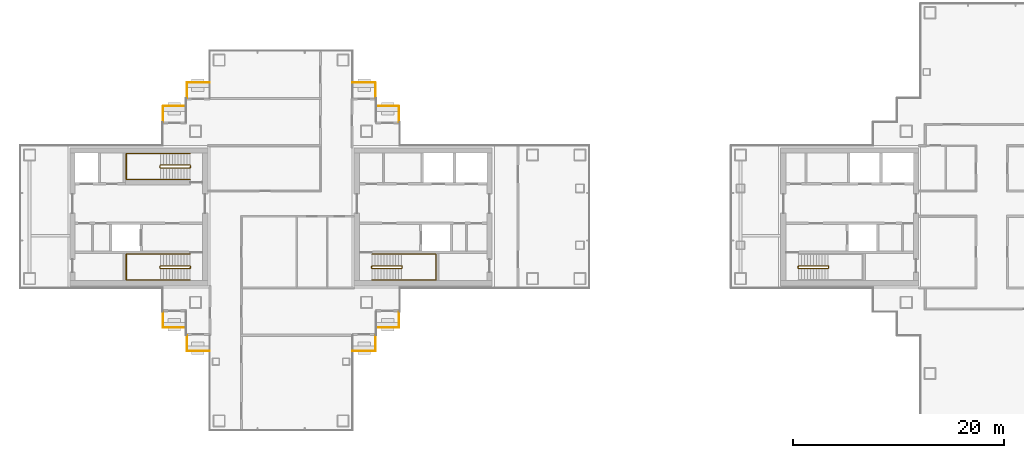
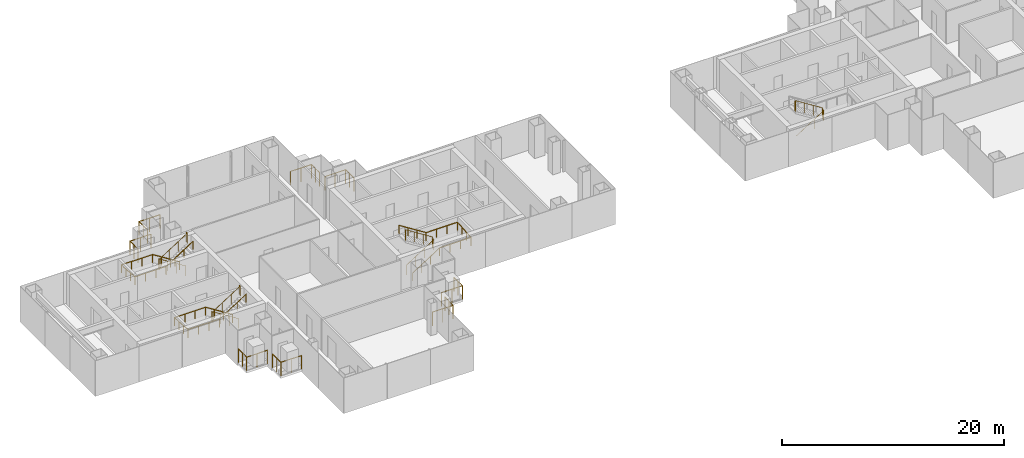
# One storey, part 14 of 16: 15 railings.
"""IFC4 building model written with IfcOpenShell, lengths in metres."""

import ifcopenshell
import ifcopenshell.guid

model = None  # the IFC model being written
_history = None  # IfcOwnerHistory: only IFC2X3 demands one
_inside = {}  # id of a spatial element -> (the spatial element, [elements in it])
_under = {}  # id of a project, library or spatial element -> (it, [spatial elements below it])
_declared = {}  # id of a project -> (the project, [libraries it declares])
_typed = {}  # id of a type object -> (the type object, [elements of that type])
_made_of = {}  # id of a material, layer set ... -> (it, [elements and type objects made of it])


def new_model(schema):
    """Start an empty IFC model of exactly this schema.

    Asked for "IFC4X3", IfcOpenShell would pick the latest addendum, in which some entities
    have other attributes; the version numbers below select the first issue.
    IFC2X3 requires an IfcOwnerHistory on every rooted entity: one is made here for all.
    """
    global model, _history
    if schema == "IFC4X3":
        model = ifcopenshell.file(schema_version=(4, 3, 0, 0))
    else:
        model = ifcopenshell.file(schema=schema)
    _inside.clear()
    _under.clear()
    _declared.clear()
    _typed.clear()
    _made_of.clear()
    _history = None
    if model.schema == "IFC2X3":
        org = make("IfcOrganization", Name="unknown")
        user = make(
            "IfcPersonAndOrganization",
            ThePerson=make("IfcPerson", FamilyName="unknown"),
            TheOrganization=org,
        )
        app = make(
            "IfcApplication",
            ApplicationDeveloper=org,
            Version="unknown",
            ApplicationFullName="unknown",
            ApplicationIdentifier="unknown",
        )
        _history = make(
            "IfcOwnerHistory",
            OwningUser=user,
            OwningApplication=app,
            ChangeAction="ADDED",
            CreationDate=0,
        )
    return model


def make(cls, **values):
    """One entity of the class cls with the attributes given. An attribute that is None is left unset."""
    return model.create_entity(
        cls, **{name: value for name, value in values.items() if value is not None}
    )


def rooted(cls, **values):
    """An entity with a GlobalId (a new one), such as an element, a storey or a relation."""
    return make(cls, GlobalId=ifcopenshell.guid.new(), OwnerHistory=_history, **values)


def si_unit(unit_type, name, prefix=None):
    """IfcSIUnit, for example si_unit("LENGTHUNIT", "METRE", prefix="MILLI")."""
    return make("IfcSIUnit", UnitType=unit_type, Prefix=prefix, Name=name)


def assignment(units):
    """IfcUnitAssignment: the units of a project."""
    return None if units is None else make("IfcUnitAssignment", Units=units)


def point(xyz):
    """IfcCartesianPoint."""
    return None if xyz is None else make("IfcCartesianPoint", Coordinates=xyz)


def direction(xyz):
    """IfcDirection."""
    return None if xyz is None else make("IfcDirection", DirectionRatios=xyz)


def frame(location, z_axis=None, x_axis=None):
    """IfcAxis2Placement3D, a coordinate frame: its origin and axes. An axis left out is left unset."""
    return make(
        "IfcAxis2Placement3D",
        Location=point(location),
        Axis=direction(z_axis),
        RefDirection=direction(x_axis),
    )


def frame_2d(location, x_axis=None):
    """IfcAxis2Placement2D, a coordinate frame in the plane: its origin and x axis."""
    return make(
        "IfcAxis2Placement2D", Location=point(location), RefDirection=direction(x_axis)
    )


def origin():
    """The frame at (0, 0, 0) with its axes left unset."""
    return frame((0.0, 0.0, 0.0))


def origin_2d():
    """The frame at (0, 0) in the plane with its x axis left unset."""
    return frame_2d((0.0, 0.0))


def place(relative_to, where):
    """IfcLocalPlacement: puts the frame where relative to a parent placement (None: the world)."""
    return make(
        "IfcLocalPlacement", PlacementRelTo=relative_to, RelativePlacement=where
    )


def context(
    kind, dimensions, precision=None, world=None, true_north=None, identifier=None
):
    """IfcGeometricRepresentationContext, for example the 3D "Model" context."""
    return make(
        "IfcGeometricRepresentationContext",
        ContextIdentifier=identifier,
        ContextType=kind,
        CoordinateSpaceDimension=dimensions,
        Precision=precision,
        WorldCoordinateSystem=world,
        TrueNorth=true_north,
    )


def subcontext(parent, identifier, kind, view, scale=None):
    """IfcGeometricRepresentationSubContext, for example "Body" below "Model"."""
    return make(
        "IfcGeometricRepresentationSubContext",
        ContextIdentifier=identifier,
        ContextType=kind,
        ParentContext=parent,
        TargetScale=scale,
        TargetView=view,
    )


def project(units=None, contexts=None):
    """IfcProject with its units and contexts."""
    return rooted(
        "IfcProject",
        Name="project",
        RepresentationContexts=contexts,
        UnitsInContext=assignment(units),
    )


def spatial(cls, under=None, at=None, **own):
    """A site, building, storey or space (cls), placed at a placement, below another one or the project."""
    s = rooted(cls, ObjectPlacement=at, **own)
    if under is not None:
        _under.setdefault(under.id(), (under, []))[1].append(s)
    return s


def profile(cls, at=None, kind="AREA", **sizes):
    """A parametric profile (cls). Its sizes go by their IFC names, for example OverallWidth=200.0."""
    return make(cls, ProfileType=kind, Position=at, **sizes)


def circle(**sizes):
    """IfcCircleProfileDef."""
    return profile("IfcCircleProfileDef", **sizes)


def extrude(swept, where, along, depth):
    """IfcExtrudedAreaSolid: the profile swept, set in the frame where, extruded along a direction by depth."""
    return make(
        "IfcExtrudedAreaSolid",
        SweptArea=swept,
        Position=where,
        ExtrudedDirection=direction(along),
        Depth=depth,
    )


def shape(context_of_items, identifier, shape_type, items):
    """IfcShapeRepresentation: the items that make up one representation, for example the "Body"."""
    return make(
        "IfcShapeRepresentation",
        ContextOfItems=context_of_items,
        RepresentationIdentifier=identifier,
        RepresentationType=shape_type,
        Items=items,
    )


def material(Name=None, Category=None):
    """IfcMaterial."""
    return make("IfcMaterial", Name=Name, Category=Category)


def made_of(thing, what):
    """Note that an element or type object is made of a material, layer set ...; save() writes the relation."""
    if what is not None:
        _made_of.setdefault(what.id(), (what, []))[1].append(thing)
    return thing


def type_object(cls, material=None, **own):
    """A type object (cls), such as IfcWallType, which elements share."""
    return made_of(rooted(cls, **own), material)


def element(
    cls,
    number,
    at=None,
    inside=None,
    cuts=None,
    type_object=None,
    material=None,
    context=None,
    identifier="Body",
    shape_type=None,
    held_by="IfcProductDefinitionShape",
    body=None,
    shapes=None,
    **own,
):
    """One element of the class cls, such as IfcWall. Its Tag is "e" and its number.

    at: its placement. inside: the storey or other place that contains it. cuts: it is an
    opening in that element (IfcRelVoidsElement). A single representation is given by context,
    identifier, shape_type and body (its items); several are given by shapes. held_by: the class
    of the entity that holds the representations. save() writes the other relations.
    """
    e = rooted(cls, Tag="e%d" % number, ObjectPlacement=at, **own)
    if body is not None:
        shapes = [shape(context, identifier, shape_type, body)]
    if shapes is not None:
        e.Representation = make(held_by, Representations=shapes)
    if inside is not None:
        _inside.setdefault(inside.id(), (inside, []))[1].append(e)
    if cuts is not None:
        rooted(
            "IfcRelVoidsElement", RelatingBuildingElement=cuts, RelatedOpeningElement=e
        )
    if type_object is not None:
        _typed.setdefault(type_object.id(), (type_object, []))[1].append(e)
    return made_of(e, material)


def aggregate(whole, parts):
    """IfcRelAggregates: a whole, such as a stair, and the parts it consists of."""
    return rooted("IfcRelAggregates", RelatingObject=whole, RelatedObjects=parts)


def save(model, path):
    """Write the relations noted so far, then the file.

    IfcRelAggregates (storeys below a building ...), IfcRelContainedInSpatialStructure (elements
    in a storey), IfcRelDefinesByType, IfcRelAssociatesMaterial and IfcRelDeclares: one each for
    every whole, place, type object, material and project.
    """
    for whole, parts in _under.values():
        aggregate(whole, parts)
    for where, things in _inside.values():
        rooted(
            "IfcRelContainedInSpatialStructure",
            RelatedElements=things,
            RelatingStructure=where,
        )
    for kind, things in _typed.values():
        rooted("IfcRelDefinesByType", RelatedObjects=things, RelatingType=kind)
    for what, things in _made_of.values():
        rooted("IfcRelAssociatesMaterial", RelatedObjects=things, RelatingMaterial=what)
    for by, libraries in _declared.values():
        rooted("IfcRelDeclares", RelatingContext=by, RelatedDefinitions=libraries)
    model.write(path)


model = new_model("IFC4")

# Units and contexts
model_context = context("Model", 3, precision=1e-05, world=origin(), true_north=direction((0.0, 1.0)))
body_context = subcontext(model_context, "Body", "Model", "MODEL_VIEW")
ifc_project = project(units=[si_unit("LENGTHUNIT", "METRE"), si_unit("AREAUNIT", "SQUARE_METRE"), si_unit("VOLUMEUNIT", "CUBIC_METRE"), si_unit("PLANEANGLEUNIT", "RADIAN"), si_unit("MASSUNIT", "GRAM", prefix="KILO")], contexts=[model_context])

# Site, building, storey
site_placement = place(None, origin())
site = spatial("IfcSite", under=ifc_project, at=site_placement, CompositionType="ELEMENT")
building_placement = place(site_placement, origin())
building = spatial("IfcBuilding", under=site, at=building_placement, Name="Shamsa Quay Exchange Towers", CompositionType="ELEMENT")
storey_placement = place(building_placement, frame((0.0, 0.0, 142.800048828125)))
storey = spatial("IfcBuildingStorey", under=building, at=storey_placement, Name="L33", CompositionType="ELEMENT", Elevation=142.800048828125)

# Railings
ifc_material_1 = material(Name="Steel S355, black powder-coated", Category="steel")
railing_type_1 = type_object("IfcRailingType", Name="BALCONY GUARD 1500", PredefinedType="GUARDRAIL", material=ifc_material_1)
for number, where, name in (
    (1, (-22.550048828125, 9.02099609375, 0.0), "Balcony guard T1-PKEN L33"),
    (2, (-24.800048828125, 11.27099609375, 0.0), "Balcony guard T1-PKEN L33"),
):
    element("IfcRailing", number, at=place(storey_placement, frame(where)), inside=storey, type_object=railing_type_1, Name=name, PredefinedType="GUARDRAIL", context=body_context, shape_type="SweptSolid", body=[
        extrude(circle(Radius=0.02392578125, at=origin_2d()), frame((0.0, 0.0, 1.47607421875), z_axis=(0.0, 1.0, 0.0), x_axis=(-1.0, 0.0, 0.0)), (0.0, 0.0, 1.0), 1.47900390625),
        extrude(circle(Radius=0.02392578125, at=origin_2d()), frame((0.0, 1.47900390625, 1.47607421875), z_axis=(-1.0, 0.0, 0.0), x_axis=(0.0, -1.0, 0.0)), (0.0, 0.0, 1.0), 2.161865234375),
        extrude(circle(Radius=0.02099609375, at=origin_2d()), origin(), (0.0, 0.0, 1.0), 1.451904296875),
        extrude(circle(Radius=0.02099609375, at=origin_2d()), frame((0.0, 0.739501953125, 0.0)), (0.0, 0.0, 1.0), 1.451904296875),
        extrude(circle(Radius=0.02099609375, at=origin_2d()), frame((0.0, 1.47900390625, 0.0)), (0.0, 0.0, 1.0), 1.451904296875),
        extrude(circle(Radius=0.02099609375, at=origin_2d()), frame((-1.0810546875, 1.47900390625, 0.0)), (0.0, 0.0, 1.0), 1.451904296875),
        extrude(circle(Radius=0.02099609375, at=origin_2d()), frame((-2.161865234375, 1.47900390625, 0.0)), (0.0, 0.0, 1.0), 1.451904296875),
    ])
for number, where, name in (
    (3, (-24.7119140625, -10.5, 0.0), "Balcony guard T1-PKES L33"),
    (4, (-26.9619140625, -12.75, 0.0), "Balcony guard T1-PKES L33"),
):
    element("IfcRailing", number, at=place(storey_placement, frame(where)), inside=storey, type_object=railing_type_1, Name=name, PredefinedType="GUARDRAIL", context=body_context, shape_type="SweptSolid", body=[
        extrude(circle(Radius=0.02392578125, at=origin_2d()), frame((0.0, 0.0, 1.47607421875), z_axis=(1.0, 0.0, 0.0), x_axis=(0.0, 1.0, 0.0)), (0.0, 0.0, 1.0), 2.161865234375),
        extrude(circle(Radius=0.02392578125, at=origin_2d()), frame((2.161865234375, 0.0, 1.47607421875), z_axis=(0.0, 1.0, 0.0), x_axis=(-1.0, 0.0, 0.0)), (0.0, 0.0, 1.0), 1.47900390625),
        extrude(circle(Radius=0.02099609375, at=origin_2d()), origin(), (0.0, 0.0, 1.0), 1.451904296875),
        extrude(circle(Radius=0.02099609375, at=origin_2d()), frame((1.0810546875, 0.0, 0.0)), (0.0, 0.0, 1.0), 1.451904296875),
        extrude(circle(Radius=0.02099609375, at=origin_2d()), frame((2.161865234375, 0.0, 0.0)), (0.0, 0.0, 1.0), 1.451904296875),
        extrude(circle(Radius=0.02099609375, at=origin_2d()), frame((2.161865234375, 0.739501953125, 0.0)), (0.0, 0.0, 1.0), 1.451904296875),
        extrude(circle(Radius=0.02099609375, at=origin_2d()), frame((2.161865234375, 1.47900390625, 0.0)), (0.0, 0.0, 1.0), 1.451904296875),
    ])
for number, where, name in (
    (5, (-40.5380859375, 12.75, 0.0), "Balcony guard T1-PKWN L33"),
    (6, (-42.7880859375, 10.5, 0.0), "Balcony guard T1-PKWN L33"),
):
    element("IfcRailing", number, at=place(storey_placement, frame(where)), inside=storey, type_object=railing_type_1, Name=name, PredefinedType="GUARDRAIL", context=body_context, shape_type="SweptSolid", body=[
        extrude(circle(Radius=0.02392578125, at=origin_2d()), frame((0.0, 0.0, 1.47607421875), z_axis=(-1.0, 0.0, 0.0), x_axis=(0.0, -1.0, 0.0)), (0.0, 0.0, 1.0), 2.161865234375),
        extrude(circle(Radius=0.02392578125, at=origin_2d()), frame((-2.161865234375, 0.0, 1.47607421875), z_axis=(0.0, -1.0, 0.0), x_axis=(1.0, 0.0, 0.0)), (0.0, 0.0, 1.0), 1.47900390625),
        extrude(circle(Radius=0.02099609375, at=origin_2d()), origin(), (0.0, 0.0, 1.0), 1.451904296875),
        extrude(circle(Radius=0.02099609375, at=origin_2d()), frame((-1.0810546875, 0.0, 0.0)), (0.0, 0.0, 1.0), 1.451904296875),
        extrude(circle(Radius=0.02099609375, at=origin_2d()), frame((-2.161865234375, 0.0, 0.0)), (0.0, 0.0, 1.0), 1.451904296875),
        extrude(circle(Radius=0.02099609375, at=origin_2d()), frame((-2.161865234375, -0.739501953125, 0.0)), (0.0, 0.0, 1.0), 1.451904296875),
        extrude(circle(Radius=0.02099609375, at=origin_2d()), frame((-2.161865234375, -1.47900390625, 0.0)), (0.0, 0.0, 1.0), 1.451904296875),
    ])
for number, where, name in (
    (7, (-44.949951171875, -9.02099609375, 0.0), "Balcony guard T1-PKWS L33"),
    (8, (-42.699951171875, -11.27099609375, 0.0), "Balcony guard T1-PKWS L33"),
):
    element("IfcRailing", number, at=place(storey_placement, frame(where)), inside=storey, type_object=railing_type_1, Name=name, PredefinedType="GUARDRAIL", context=body_context, shape_type="SweptSolid", body=[
        extrude(circle(Radius=0.02392578125, at=origin_2d()), frame((0.0, 0.0, 1.47607421875), z_axis=(0.0, -1.0, 0.0), x_axis=(1.0, 0.0, 0.0)), (0.0, 0.0, 1.0), 1.47900390625),
        extrude(circle(Radius=0.02392578125, at=origin_2d()), frame((0.0, -1.47900390625, 1.47607421875), z_axis=(1.0, 0.0, 0.0), x_axis=(0.0, 1.0, 0.0)), (0.0, 0.0, 1.0), 2.161865234375),
        extrude(circle(Radius=0.02099609375, at=origin_2d()), origin(), (0.0, 0.0, 1.0), 1.451904296875),
        extrude(circle(Radius=0.02099609375, at=origin_2d()), frame((0.0, -0.739501953125, 0.0)), (0.0, 0.0, 1.0), 1.451904296875),
        extrude(circle(Radius=0.02099609375, at=origin_2d()), frame((0.0, -1.47900390625, 0.0)), (0.0, 0.0, 1.0), 1.451904296875),
        extrude(circle(Radius=0.02099609375, at=origin_2d()), frame((1.0810546875, -1.47900390625, 0.0)), (0.0, 0.0, 1.0), 1.451904296875),
        extrude(circle(Radius=0.02099609375, at=origin_2d()), frame((2.161865234375, -1.47900390625, 0.0)), (0.0, 0.0, 1.0), 1.451904296875),
    ])
ifc_material_2 = material(Name="Stainless steel", Category="steel")
railing_type_2 = type_object("IfcRailingType", Name="STAIR GUARD 1100", PredefinedType="GUARDRAIL", material=ifc_material_2)
railing_1_placement = place(storey_placement, frame((-25.10009765625, -4.89990234375, 0.17724609375)))
element("IfcRailing", 9, at=railing_1_placement, inside=storey, type_object=railing_type_2, Name="L33 ST1 stair guard 1", PredefinedType="GUARDRAIL", context=body_context, shape_type="SweptSolid", body=[
    extrude(circle(Radius=0.02392578125, at=origin_2d()), frame((0.0, 0.0, 1.076171875), z_axis=(0.844908973607, 0.0, 0.534910110503), x_axis=(0.0, 1.0, 0.0)), (0.0, 0.0, 1.0), 3.31396484375),
    extrude(circle(Radius=0.02392578125, at=origin_2d()), frame((2.800048828125, 0.0, 2.8486328125), z_axis=(0.708833529934, 0.705375805398, 0.0), x_axis=(-0.705375805398, 0.708833529934, 0.0)), (0.0, 0.0, 1.0), 0.070556640625),
    extrude(circle(Radius=0.02392578125, at=origin_2d()), frame((2.85009765625, 0.0498046875, 2.8486328125), z_axis=(0.0, 1.0, 0.0), x_axis=(-1.0, 0.0, 0.0)), (0.0, 0.0, 1.0), 0.150146484375),
    extrude(circle(Radius=0.02392578125, at=origin_2d()), frame((2.85009765625, 0.199951171875, 2.8486328125), z_axis=(-0.262233686654, 0.262233686654, 0.928691007369), x_axis=(-0.707106781187, -0.707106781187, 0.0)), (0.0, 0.0, 1.0), 0.19091796875),
    extrude(circle(Radius=0.02392578125, at=origin_2d()), frame((2.800048828125, 0.25, 3.02587890625), z_axis=(-0.844908973607, 0.0, 0.534910110503), x_axis=(0.0, -1.0, 0.0)), (0.0, 0.0, 1.0), 3.31396484375),
    extrude(circle(Radius=0.02392578125, at=origin_2d()), frame((0.0, 0.25, 4.798828125), z_axis=(-0.24142163986, -0.970420317083, 0.0), x_axis=(0.970420317083, -0.24142163986, 0.0)), (0.0, 0.0, 1.0), 0.206298828125),
    extrude(circle(Radius=0.02392578125, at=origin_2d()), frame((-0.0498046875, 0.0498046875, 4.798828125), z_axis=(0.0, 1.0, 0.0), x_axis=(-1.0, 0.0, 0.0)), (0.0, 0.0, 1.0), 0.150146484375),
    extrude(circle(Radius=0.02099609375, at=origin_2d()), origin(), (0.0, 0.0, 1.0), 1.052001953125),
    extrude(circle(Radius=0.02099609375, at=origin_2d()), frame((0.933349609375, 0.0, 0.5908203125)), (0.0, 0.0, 1.0), 1.052001953125),
    extrude(circle(Radius=0.02099609375, at=origin_2d()), frame((1.86669921875, 0.0, 1.181884765625)), (0.0, 0.0, 1.0), 1.052001953125),
    extrude(circle(Radius=0.02099609375, at=origin_2d()), frame((2.800048828125, 0.0, 1.772705078125)), (0.0, 0.0, 1.0), 1.052001953125),
    extrude(circle(Radius=0.02099609375, at=origin_2d()), frame((2.85009765625, 0.0498046875, 1.772705078125)), (0.0, 0.0, 1.0), 1.052001953125),
    extrude(circle(Radius=0.02099609375, at=origin_2d()), frame((2.85009765625, 0.199951171875, 1.772705078125)), (0.0, 0.0, 1.0), 1.052001953125),
    extrude(circle(Radius=0.02099609375, at=origin_2d()), frame((2.800048828125, 0.25, 1.949951171875)), (0.0, 0.0, 1.0), 1.052001953125),
    extrude(circle(Radius=0.02099609375, at=origin_2d()), frame((1.86669921875, 0.25, 2.540771484375)), (0.0, 0.0, 1.0), 1.052001953125),
    extrude(circle(Radius=0.02099609375, at=origin_2d()), frame((0.933349609375, 0.25, 3.1318359375)), (0.0, 0.0, 1.0), 1.052001953125),
    extrude(circle(Radius=0.02099609375, at=origin_2d()), frame((0.0, 0.25, 3.72265625)), (0.0, 0.0, 1.0), 1.052001953125),
    extrude(circle(Radius=0.02099609375, at=origin_2d()), frame((-0.0498046875, 0.0498046875, 3.72265625)), (0.0, 0.0, 1.0), 1.052001953125),
    extrude(circle(Radius=0.02099609375, at=origin_2d()), frame((-0.0498046875, 0.199951171875, 3.72265625)), (0.0, 0.0, 1.0), 1.052001953125),
])
railing_2_placement = place(storey_placement, frame((-42.39990234375, -4.64990234375, 0.17724609375)))
element("IfcRailing", 10, at=railing_2_placement, inside=storey, type_object=railing_type_2, Name="L33 ST2 stair guard 1", PredefinedType="GUARDRAIL", context=body_context, shape_type="SweptSolid", body=[
    extrude(circle(Radius=0.02392578125, at=origin_2d()), frame((0.0, 0.0, 1.076171875), z_axis=(-0.844908973607, 0.0, 0.534910110503), x_axis=(0.0, -1.0, 0.0)), (0.0, 0.0, 1.0), 3.31396484375),
    extrude(circle(Radius=0.02392578125, at=origin_2d()), frame((-2.800048828125, 0.0, 2.8486328125), z_axis=(-0.707106781187, -0.707106781187, 0.0), x_axis=(0.707106781187, -0.707106781187, 0.0)), (0.0, 0.0, 1.0), 0.07080078125),
    extrude(circle(Radius=0.02392578125, at=origin_2d()), frame((-2.85009765625, -0.050048828125, 2.8486328125), z_axis=(0.0, -1.0, 0.0), x_axis=(1.0, 0.0, 0.0)), (0.0, 0.0, 1.0), 0.150146484375),
    extrude(circle(Radius=0.02392578125, at=origin_2d()), frame((-2.85009765625, -0.2001953125, 2.8486328125), z_axis=(0.262321481514, -0.261041864531, 0.929001929653), x_axis=(0.705375805398, 0.708833529934, 0.0)), (0.0, 0.0, 1.0), 0.190673828125),
    extrude(circle(Radius=0.02392578125, at=origin_2d()), frame((-2.800048828125, -0.25, 3.02587890625), z_axis=(0.844908973607, 0.0, 0.534910110503), x_axis=(0.0, 1.0, 0.0)), (0.0, 0.0, 1.0), 3.31396484375),
    extrude(circle(Radius=0.02392578125, at=origin_2d()), frame((0.0, -0.25, 4.798828125), z_axis=(0.241699205484, 0.970351222016, 0.0), x_axis=(-0.970351222016, 0.241699205484, 0.0)), (0.0, 0.0, 1.0), 0.2060546875),
    extrude(circle(Radius=0.02392578125, at=origin_2d()), frame((0.0498046875, -0.050048828125, 4.798828125), z_axis=(0.0, -1.0, 0.0), x_axis=(1.0, 0.0, 0.0)), (0.0, 0.0, 1.0), 0.150146484375),
    extrude(circle(Radius=0.02099609375, at=origin_2d()), origin(), (0.0, 0.0, 1.0), 1.052001953125),
    extrude(circle(Radius=0.02099609375, at=origin_2d()), frame((-0.933349609375, 0.0, 0.5908203125)), (0.0, 0.0, 1.0), 1.052001953125),
    extrude(circle(Radius=0.02099609375, at=origin_2d()), frame((-1.86669921875, 0.0, 1.181884765625)), (0.0, 0.0, 1.0), 1.052001953125),
    extrude(circle(Radius=0.02099609375, at=origin_2d()), frame((-2.800048828125, 0.0, 1.772705078125)), (0.0, 0.0, 1.0), 1.052001953125),
    extrude(circle(Radius=0.02099609375, at=origin_2d()), frame((-2.85009765625, -0.050048828125, 1.772705078125)), (0.0, 0.0, 1.0), 1.052001953125),
    extrude(circle(Radius=0.02099609375, at=origin_2d()), frame((-2.85009765625, -0.2001953125, 1.772705078125)), (0.0, 0.0, 1.0), 1.052001953125),
    extrude(circle(Radius=0.02099609375, at=origin_2d()), frame((-2.800048828125, -0.25, 1.949951171875)), (0.0, 0.0, 1.0), 1.052001953125),
    extrude(circle(Radius=0.02099609375, at=origin_2d()), frame((-1.86669921875, -0.25, 2.540771484375)), (0.0, 0.0, 1.0), 1.052001953125),
    extrude(circle(Radius=0.02099609375, at=origin_2d()), frame((-0.933349609375, -0.25, 3.1318359375)), (0.0, 0.0, 1.0), 1.052001953125),
    extrude(circle(Radius=0.02099609375, at=origin_2d()), frame((0.0, -0.25, 3.72265625)), (0.0, 0.0, 1.0), 1.052001953125),
    extrude(circle(Radius=0.02099609375, at=origin_2d()), frame((0.0498046875, -0.050048828125, 3.72265625)), (0.0, 0.0, 1.0), 1.052001953125),
    extrude(circle(Radius=0.02099609375, at=origin_2d()), frame((0.0498046875, -0.2001953125, 3.72265625)), (0.0, 0.0, 1.0), 1.052001953125),
])
railing_3_placement = place(storey_placement, frame((-42.39990234375, 4.89990234375, 0.17724609375)))
element("IfcRailing", 11, at=railing_3_placement, inside=storey, type_object=railing_type_2, Name="L33 ST3 stair guard 1", PredefinedType="GUARDRAIL", context=body_context, shape_type="SweptSolid", body=[
    extrude(circle(Radius=0.02392578125, at=origin_2d()), frame((0.0, 0.0, 1.076171875), z_axis=(-0.844908973607, 0.0, 0.534910110503), x_axis=(0.0, -1.0, 0.0)), (0.0, 0.0, 1.0), 3.31396484375),
    extrude(circle(Radius=0.02392578125, at=origin_2d()), frame((-2.800048828125, 0.0, 2.8486328125), z_axis=(-0.708833529934, -0.705375805398, 0.0), x_axis=(0.705375805398, -0.708833529934, 0.0)), (0.0, 0.0, 1.0), 0.070556640625),
    extrude(circle(Radius=0.02392578125, at=origin_2d()), frame((-2.85009765625, -0.0498046875, 2.8486328125), z_axis=(0.0, -1.0, 0.0), x_axis=(1.0, 0.0, 0.0)), (0.0, 0.0, 1.0), 0.150146484375),
    extrude(circle(Radius=0.02392578125, at=origin_2d()), frame((-2.85009765625, -0.199951171875, 2.8486328125), z_axis=(0.262233686654, -0.262233686654, 0.928691007369), x_axis=(0.707106781187, 0.707106781187, 0.0)), (0.0, 0.0, 1.0), 0.19091796875),
    extrude(circle(Radius=0.02392578125, at=origin_2d()), frame((-2.800048828125, -0.25, 3.02587890625), z_axis=(0.844908973607, 0.0, 0.534910110503), x_axis=(0.0, 1.0, 0.0)), (0.0, 0.0, 1.0), 3.31396484375),
    extrude(circle(Radius=0.02392578125, at=origin_2d()), frame((0.0, -0.25, 4.798828125), z_axis=(0.24142163986, 0.970420317083, 0.0), x_axis=(-0.970420317083, 0.24142163986, 0.0)), (0.0, 0.0, 1.0), 0.206298828125),
    extrude(circle(Radius=0.02392578125, at=origin_2d()), frame((0.0498046875, -0.0498046875, 4.798828125), z_axis=(0.0, -1.0, 0.0), x_axis=(1.0, 0.0, 0.0)), (0.0, 0.0, 1.0), 0.150146484375),
    extrude(circle(Radius=0.02099609375, at=origin_2d()), origin(), (0.0, 0.0, 1.0), 1.052001953125),
    extrude(circle(Radius=0.02099609375, at=origin_2d()), frame((-0.933349609375, 0.0, 0.5908203125)), (0.0, 0.0, 1.0), 1.052001953125),
    extrude(circle(Radius=0.02099609375, at=origin_2d()), frame((-1.86669921875, 0.0, 1.181884765625)), (0.0, 0.0, 1.0), 1.052001953125),
    extrude(circle(Radius=0.02099609375, at=origin_2d()), frame((-2.800048828125, 0.0, 1.772705078125)), (0.0, 0.0, 1.0), 1.052001953125),
    extrude(circle(Radius=0.02099609375, at=origin_2d()), frame((-2.85009765625, -0.0498046875, 1.772705078125)), (0.0, 0.0, 1.0), 1.052001953125),
    extrude(circle(Radius=0.02099609375, at=origin_2d()), frame((-2.85009765625, -0.199951171875, 1.772705078125)), (0.0, 0.0, 1.0), 1.052001953125),
    extrude(circle(Radius=0.02099609375, at=origin_2d()), frame((-2.800048828125, -0.25, 1.949951171875)), (0.0, 0.0, 1.0), 1.052001953125),
    extrude(circle(Radius=0.02099609375, at=origin_2d()), frame((-1.86669921875, -0.25, 2.540771484375)), (0.0, 0.0, 1.0), 1.052001953125),
    extrude(circle(Radius=0.02099609375, at=origin_2d()), frame((-0.933349609375, -0.25, 3.1318359375)), (0.0, 0.0, 1.0), 1.052001953125),
    extrude(circle(Radius=0.02099609375, at=origin_2d()), frame((0.0, -0.25, 3.72265625)), (0.0, 0.0, 1.0), 1.052001953125),
    extrude(circle(Radius=0.02099609375, at=origin_2d()), frame((0.0498046875, -0.0498046875, 3.72265625)), (0.0, 0.0, 1.0), 1.052001953125),
    extrude(circle(Radius=0.02099609375, at=origin_2d()), frame((0.0498046875, -0.199951171875, 3.72265625)), (0.0, 0.0, 1.0), 1.052001953125),
])
railing_4_placement = place(storey_placement, frame((15.39990234375, -4.89990234375, 0.17724609375)))
element("IfcRailing", 12, at=railing_4_placement, inside=storey, type_object=railing_type_2, Name="L33 ST4 stair guard 1", PredefinedType="GUARDRAIL", context=body_context, shape_type="SweptSolid", body=[
    extrude(circle(Radius=0.02392578125, at=origin_2d()), frame((0.0, 0.0, 1.076171875), z_axis=(0.844908973607, 0.0, 0.534910110503), x_axis=(0.0, 1.0, 0.0)), (0.0, 0.0, 1.0), 3.31396484375),
    extrude(circle(Radius=0.02392578125, at=origin_2d()), frame((2.800048828125, 0.0, 2.8486328125), z_axis=(0.708833529934, 0.705375805398, 0.0), x_axis=(-0.705375805398, 0.708833529934, 0.0)), (0.0, 0.0, 1.0), 0.070556640625),
    extrude(circle(Radius=0.02392578125, at=origin_2d()), frame((2.85009765625, 0.0498046875, 2.8486328125), z_axis=(0.0, 1.0, 0.0), x_axis=(-1.0, 0.0, 0.0)), (0.0, 0.0, 1.0), 0.150146484375),
    extrude(circle(Radius=0.02392578125, at=origin_2d()), frame((2.85009765625, 0.199951171875, 2.8486328125), z_axis=(-0.262233686654, 0.262233686654, 0.928691007369), x_axis=(-0.707106781187, -0.707106781187, 0.0)), (0.0, 0.0, 1.0), 0.19091796875),
    extrude(circle(Radius=0.02392578125, at=origin_2d()), frame((2.800048828125, 0.25, 3.02587890625), z_axis=(-0.844908973607, 0.0, 0.534910110503), x_axis=(0.0, -1.0, 0.0)), (0.0, 0.0, 1.0), 3.31396484375),
    extrude(circle(Radius=0.02392578125, at=origin_2d()), frame((0.0, 0.25, 4.798828125), z_axis=(-0.24142163986, -0.970420317083, 0.0), x_axis=(0.970420317083, -0.24142163986, 0.0)), (0.0, 0.0, 1.0), 0.206298828125),
    extrude(circle(Radius=0.02392578125, at=origin_2d()), frame((-0.0498046875, 0.0498046875, 4.798828125), z_axis=(0.0, 1.0, 0.0), x_axis=(-1.0, 0.0, 0.0)), (0.0, 0.0, 1.0), 0.150146484375),
    extrude(circle(Radius=0.02099609375, at=origin_2d()), origin(), (0.0, 0.0, 1.0), 1.052001953125),
    extrude(circle(Radius=0.02099609375, at=origin_2d()), frame((0.933349609375, 0.0, 0.5908203125)), (0.0, 0.0, 1.0), 1.052001953125),
    extrude(circle(Radius=0.02099609375, at=origin_2d()), frame((1.86669921875, 0.0, 1.181884765625)), (0.0, 0.0, 1.0), 1.052001953125),
    extrude(circle(Radius=0.02099609375, at=origin_2d()), frame((2.800048828125, 0.0, 1.772705078125)), (0.0, 0.0, 1.0), 1.052001953125),
    extrude(circle(Radius=0.02099609375, at=origin_2d()), frame((2.85009765625, 0.0498046875, 1.772705078125)), (0.0, 0.0, 1.0), 1.052001953125),
    extrude(circle(Radius=0.02099609375, at=origin_2d()), frame((2.85009765625, 0.199951171875, 1.772705078125)), (0.0, 0.0, 1.0), 1.052001953125),
    extrude(circle(Radius=0.02099609375, at=origin_2d()), frame((2.800048828125, 0.25, 1.949951171875)), (0.0, 0.0, 1.0), 1.052001953125),
    extrude(circle(Radius=0.02099609375, at=origin_2d()), frame((1.86669921875, 0.25, 2.540771484375)), (0.0, 0.0, 1.0), 1.052001953125),
    extrude(circle(Radius=0.02099609375, at=origin_2d()), frame((0.933349609375, 0.25, 3.1318359375)), (0.0, 0.0, 1.0), 1.052001953125),
    extrude(circle(Radius=0.02099609375, at=origin_2d()), frame((0.0, 0.25, 3.72265625)), (0.0, 0.0, 1.0), 1.052001953125),
    extrude(circle(Radius=0.02099609375, at=origin_2d()), frame((-0.0498046875, 0.0498046875, 3.72265625)), (0.0, 0.0, 1.0), 1.052001953125),
    extrude(circle(Radius=0.02099609375, at=origin_2d()), frame((-0.0498046875, 0.199951171875, 3.72265625)), (0.0, 0.0, 1.0), 1.052001953125),
])
railing_type_3 = type_object("IfcRailingType", Name="STAIR HANDRAIL 900", PredefinedType="HANDRAIL", material=ifc_material_2)
railing_5_placement = place(storey_placement, frame((-25.10009765625, -6.0, 0.17724609375)))
element("IfcRailing", 13, at=railing_5_placement, inside=storey, type_object=railing_type_3, Name="L33 ST1 stair handrail 1", PredefinedType="HANDRAIL", context=body_context, shape_type="SweptSolid", body=[
    extrude(circle(Radius=0.02392578125, at=origin_2d()), frame((0.0, 0.0, 0.8759765625), z_axis=(0.844908973607, 0.0, 0.534910110503), x_axis=(0.0, 1.0, 0.0)), (0.0, 0.0, 1.0), 3.31396484375),
    extrude(circle(Radius=0.02392578125, at=origin_2d()), frame((2.800048828125, 0.0, 2.6484375), z_axis=(1.0, 0.0, 0.0), x_axis=(0.0, 1.0, 0.0)), (0.0, 0.0, 1.0), 3.25),
    extrude(circle(Radius=0.02392578125, at=origin_2d()), frame((6.050048828125, 0.0, 2.6484375), z_axis=(0.0, 0.997393199914, 0.07215819264), x_axis=(-1.0, 0.0, 0.0)), (0.0, 0.0, 1.0), 2.456298828125),
    extrude(circle(Radius=0.02392578125, at=origin_2d()), frame((6.050048828125, 2.449951171875, 2.82568359375), z_axis=(-1.0, 0.0, 0.0), x_axis=(0.0, -1.0, 0.0)), (0.0, 0.0, 1.0), 3.25),
    extrude(circle(Radius=0.02392578125, at=origin_2d()), frame((2.800048828125, 2.449951171875, 2.82568359375), z_axis=(-0.844908973607, 0.0, 0.534910110503), x_axis=(0.0, -1.0, 0.0)), (0.0, 0.0, 1.0), 3.31396484375),
    extrude(circle(Radius=0.02099609375, at=origin_2d()), origin(), (0.0, 0.0, 1.0), 0.851806640625),
    extrude(circle(Radius=0.02099609375, at=origin_2d()), frame((0.933349609375, 0.0, 0.5908203125)), (0.0, 0.0, 1.0), 0.851806640625),
    extrude(circle(Radius=0.02099609375, at=origin_2d()), frame((1.86669921875, 0.0, 1.181884765625)), (0.0, 0.0, 1.0), 0.851806640625),
    extrude(circle(Radius=0.02099609375, at=origin_2d()), frame((2.800048828125, 0.0, 1.772705078125)), (0.0, 0.0, 1.0), 0.851806640625),
    extrude(circle(Radius=0.02099609375, at=origin_2d()), frame((3.88330078125, 0.0, 1.772705078125)), (0.0, 0.0, 1.0), 0.851806640625),
    extrude(circle(Radius=0.02099609375, at=origin_2d()), frame((4.966796875, 0.0, 1.772705078125)), (0.0, 0.0, 1.0), 0.851806640625),
    extrude(circle(Radius=0.02099609375, at=origin_2d()), frame((6.050048828125, 0.0, 1.772705078125)), (0.0, 0.0, 1.0), 0.851806640625),
    extrude(circle(Radius=0.02099609375, at=origin_2d()), frame((6.050048828125, 0.816650390625, 1.831787109375)), (0.0, 0.0, 1.0), 0.851806640625),
    extrude(circle(Radius=0.02099609375, at=origin_2d()), frame((6.050048828125, 1.63330078125, 1.890869140625)), (0.0, 0.0, 1.0), 0.851806640625),
    extrude(circle(Radius=0.02099609375, at=origin_2d()), frame((6.050048828125, 2.449951171875, 1.949951171875)), (0.0, 0.0, 1.0), 0.851806640625),
    extrude(circle(Radius=0.02099609375, at=origin_2d()), frame((4.966796875, 2.449951171875, 1.949951171875)), (0.0, 0.0, 1.0), 0.851806640625),
    extrude(circle(Radius=0.02099609375, at=origin_2d()), frame((3.88330078125, 2.449951171875, 1.949951171875)), (0.0, 0.0, 1.0), 0.851806640625),
    extrude(circle(Radius=0.02099609375, at=origin_2d()), frame((2.800048828125, 2.449951171875, 1.949951171875)), (0.0, 0.0, 1.0), 0.851806640625),
    extrude(circle(Radius=0.02099609375, at=origin_2d()), frame((1.86669921875, 2.449951171875, 2.540771484375)), (0.0, 0.0, 1.0), 0.851806640625),
    extrude(circle(Radius=0.02099609375, at=origin_2d()), frame((0.933349609375, 2.449951171875, 3.1318359375)), (0.0, 0.0, 1.0), 0.851806640625),
    extrude(circle(Radius=0.02099609375, at=origin_2d()), frame((0.0, 2.449951171875, 3.72265625)), (0.0, 0.0, 1.0), 0.851806640625),
])
railing_6_placement = place(storey_placement, frame((-42.39990234375, -3.550048828125, 0.17724609375)))
element("IfcRailing", 14, at=railing_6_placement, inside=storey, type_object=railing_type_3, Name="L33 ST2 stair handrail 1", PredefinedType="HANDRAIL", context=body_context, shape_type="SweptSolid", body=[
    extrude(circle(Radius=0.02392578125, at=origin_2d()), frame((0.0, 0.0, 0.8759765625), z_axis=(-0.844908973607, 0.0, 0.534910110503), x_axis=(0.0, -1.0, 0.0)), (0.0, 0.0, 1.0), 3.31396484375),
    extrude(circle(Radius=0.02392578125, at=origin_2d()), frame((-2.800048828125, 0.0, 2.6484375), z_axis=(-1.0, 0.0, 0.0), x_axis=(0.0, -1.0, 0.0)), (0.0, 0.0, 1.0), 3.25),
    extrude(circle(Radius=0.02392578125, at=origin_2d()), frame((-6.050048828125, 0.0, 2.6484375), z_axis=(0.0, -0.997393199914, 0.07215819264), x_axis=(1.0, 0.0, 0.0)), (0.0, 0.0, 1.0), 2.456298828125),
    extrude(circle(Radius=0.02392578125, at=origin_2d()), frame((-6.050048828125, -2.449951171875, 2.82568359375), z_axis=(1.0, 0.0, 0.0), x_axis=(0.0, 1.0, 0.0)), (0.0, 0.0, 1.0), 3.25),
    extrude(circle(Radius=0.02392578125, at=origin_2d()), frame((-2.800048828125, -2.449951171875, 2.82568359375), z_axis=(0.844908973607, 0.0, 0.534910110503), x_axis=(0.0, 1.0, 0.0)), (0.0, 0.0, 1.0), 3.31396484375),
    extrude(circle(Radius=0.02099609375, at=origin_2d()), origin(), (0.0, 0.0, 1.0), 0.851806640625),
    extrude(circle(Radius=0.02099609375, at=origin_2d()), frame((-0.933349609375, 0.0, 0.5908203125)), (0.0, 0.0, 1.0), 0.851806640625),
    extrude(circle(Radius=0.02099609375, at=origin_2d()), frame((-1.86669921875, 0.0, 1.181884765625)), (0.0, 0.0, 1.0), 0.851806640625),
    extrude(circle(Radius=0.02099609375, at=origin_2d()), frame((-2.800048828125, 0.0, 1.772705078125)), (0.0, 0.0, 1.0), 0.851806640625),
    extrude(circle(Radius=0.02099609375, at=origin_2d()), frame((-3.88330078125, 0.0, 1.772705078125)), (0.0, 0.0, 1.0), 0.851806640625),
    extrude(circle(Radius=0.02099609375, at=origin_2d()), frame((-4.966796875, 0.0, 1.772705078125)), (0.0, 0.0, 1.0), 0.851806640625),
    extrude(circle(Radius=0.02099609375, at=origin_2d()), frame((-6.050048828125, 0.0, 1.772705078125)), (0.0, 0.0, 1.0), 0.851806640625),
    extrude(circle(Radius=0.02099609375, at=origin_2d()), frame((-6.050048828125, -0.816650390625, 1.831787109375)), (0.0, 0.0, 1.0), 0.851806640625),
    extrude(circle(Radius=0.02099609375, at=origin_2d()), frame((-6.050048828125, -1.63330078125, 1.890869140625)), (0.0, 0.0, 1.0), 0.851806640625),
    extrude(circle(Radius=0.02099609375, at=origin_2d()), frame((-6.050048828125, -2.449951171875, 1.949951171875)), (0.0, 0.0, 1.0), 0.851806640625),
    extrude(circle(Radius=0.02099609375, at=origin_2d()), frame((-4.966796875, -2.449951171875, 1.949951171875)), (0.0, 0.0, 1.0), 0.851806640625),
    extrude(circle(Radius=0.02099609375, at=origin_2d()), frame((-3.88330078125, -2.449951171875, 1.949951171875)), (0.0, 0.0, 1.0), 0.851806640625),
    extrude(circle(Radius=0.02099609375, at=origin_2d()), frame((-2.800048828125, -2.449951171875, 1.949951171875)), (0.0, 0.0, 1.0), 0.851806640625),
    extrude(circle(Radius=0.02099609375, at=origin_2d()), frame((-1.86669921875, -2.449951171875, 2.540771484375)), (0.0, 0.0, 1.0), 0.851806640625),
    extrude(circle(Radius=0.02099609375, at=origin_2d()), frame((-0.933349609375, -2.449951171875, 3.1318359375)), (0.0, 0.0, 1.0), 0.851806640625),
    extrude(circle(Radius=0.02099609375, at=origin_2d()), frame((0.0, -2.449951171875, 3.72265625)), (0.0, 0.0, 1.0), 0.851806640625),
])
railing_7_placement = place(storey_placement, frame((-42.39990234375, 6.0, 0.17724609375)))
element("IfcRailing", 15, at=railing_7_placement, inside=storey, type_object=railing_type_3, Name="L33 ST3 stair handrail 1", PredefinedType="HANDRAIL", context=body_context, shape_type="SweptSolid", body=[
    extrude(circle(Radius=0.02392578125, at=origin_2d()), frame((0.0, 0.0, 0.8759765625), z_axis=(-0.844908973607, 0.0, 0.534910110503), x_axis=(0.0, -1.0, 0.0)), (0.0, 0.0, 1.0), 3.31396484375),
    extrude(circle(Radius=0.02392578125, at=origin_2d()), frame((-2.800048828125, 0.0, 2.6484375), z_axis=(-1.0, 0.0, 0.0), x_axis=(0.0, -1.0, 0.0)), (0.0, 0.0, 1.0), 3.25),
    extrude(circle(Radius=0.02392578125, at=origin_2d()), frame((-6.050048828125, 0.0, 2.6484375), z_axis=(0.0, -0.997393199914, 0.07215819264), x_axis=(1.0, 0.0, 0.0)), (0.0, 0.0, 1.0), 2.456298828125),
    extrude(circle(Radius=0.02392578125, at=origin_2d()), frame((-6.050048828125, -2.449951171875, 2.82568359375), z_axis=(1.0, 0.0, 0.0), x_axis=(0.0, 1.0, 0.0)), (0.0, 0.0, 1.0), 3.25),
    extrude(circle(Radius=0.02392578125, at=origin_2d()), frame((-2.800048828125, -2.449951171875, 2.82568359375), z_axis=(0.844908973607, 0.0, 0.534910110503), x_axis=(0.0, 1.0, 0.0)), (0.0, 0.0, 1.0), 3.31396484375),
    extrude(circle(Radius=0.02099609375, at=origin_2d()), origin(), (0.0, 0.0, 1.0), 0.851806640625),
    extrude(circle(Radius=0.02099609375, at=origin_2d()), frame((-0.933349609375, 0.0, 0.5908203125)), (0.0, 0.0, 1.0), 0.851806640625),
    extrude(circle(Radius=0.02099609375, at=origin_2d()), frame((-1.86669921875, 0.0, 1.181884765625)), (0.0, 0.0, 1.0), 0.851806640625),
    extrude(circle(Radius=0.02099609375, at=origin_2d()), frame((-2.800048828125, 0.0, 1.772705078125)), (0.0, 0.0, 1.0), 0.851806640625),
    extrude(circle(Radius=0.02099609375, at=origin_2d()), frame((-3.88330078125, 0.0, 1.772705078125)), (0.0, 0.0, 1.0), 0.851806640625),
    extrude(circle(Radius=0.02099609375, at=origin_2d()), frame((-4.966796875, 0.0, 1.772705078125)), (0.0, 0.0, 1.0), 0.851806640625),
    extrude(circle(Radius=0.02099609375, at=origin_2d()), frame((-6.050048828125, 0.0, 1.772705078125)), (0.0, 0.0, 1.0), 0.851806640625),
    extrude(circle(Radius=0.02099609375, at=origin_2d()), frame((-6.050048828125, -0.816650390625, 1.831787109375)), (0.0, 0.0, 1.0), 0.851806640625),
    extrude(circle(Radius=0.02099609375, at=origin_2d()), frame((-6.050048828125, -1.63330078125, 1.890869140625)), (0.0, 0.0, 1.0), 0.851806640625),
    extrude(circle(Radius=0.02099609375, at=origin_2d()), frame((-6.050048828125, -2.449951171875, 1.949951171875)), (0.0, 0.0, 1.0), 0.851806640625),
    extrude(circle(Radius=0.02099609375, at=origin_2d()), frame((-4.966796875, -2.449951171875, 1.949951171875)), (0.0, 0.0, 1.0), 0.851806640625),
    extrude(circle(Radius=0.02099609375, at=origin_2d()), frame((-3.88330078125, -2.449951171875, 1.949951171875)), (0.0, 0.0, 1.0), 0.851806640625),
    extrude(circle(Radius=0.02099609375, at=origin_2d()), frame((-2.800048828125, -2.449951171875, 1.949951171875)), (0.0, 0.0, 1.0), 0.851806640625),
    extrude(circle(Radius=0.02099609375, at=origin_2d()), frame((-1.86669921875, -2.449951171875, 2.540771484375)), (0.0, 0.0, 1.0), 0.851806640625),
    extrude(circle(Radius=0.02099609375, at=origin_2d()), frame((-0.933349609375, -2.449951171875, 3.1318359375)), (0.0, 0.0, 1.0), 0.851806640625),
    extrude(circle(Radius=0.02099609375, at=origin_2d()), frame((0.0, -2.449951171875, 3.72265625)), (0.0, 0.0, 1.0), 0.851806640625),
])

save(model, "model.ifc")
